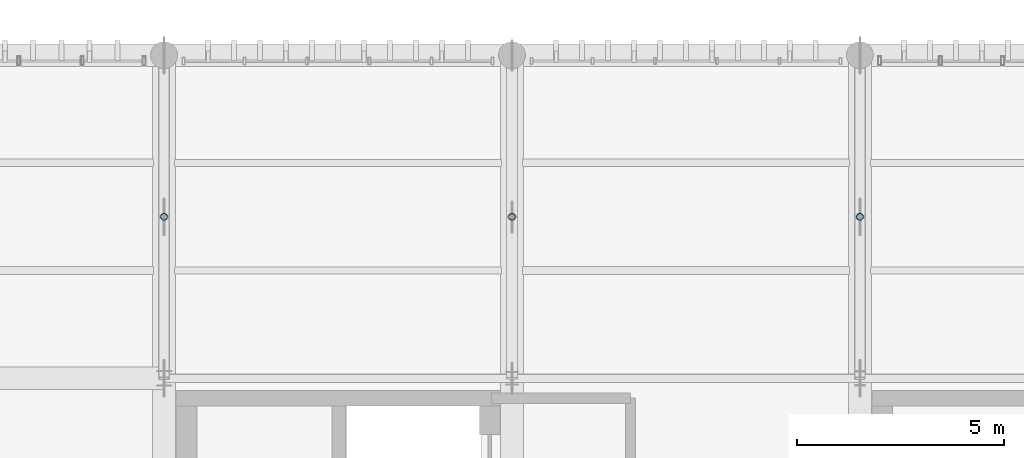
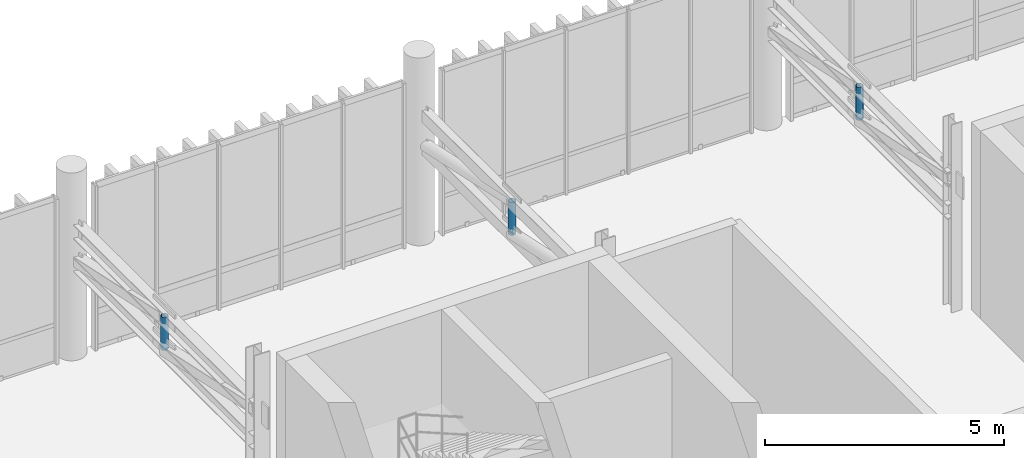
# One storey, part 55 of 81: 3 members.
"""IFC4 building model written with IfcOpenShell, lengths in metres."""

from ifc_helpers import new_model, si_unit, direction, frame, origin_with_axes, origin_2d_with_axis, place, context, subcontext, project, spatial, hollow_circle, extrude, material, material_profile, profile_set, type_object, element, save


model = new_model("IFC4")

# Units and contexts
model_context = context("Model", 3, precision=1e-05, world=origin_with_axes(), true_north=direction((0.0, 1.0)))
body_context = subcontext(model_context, "Body", "Model", "MODEL_VIEW")
ifc_project = project(units=[si_unit("LENGTHUNIT", "METRE"), si_unit("AREAUNIT", "SQUARE_METRE"), si_unit("VOLUMEUNIT", "CUBIC_METRE"), si_unit("PLANEANGLEUNIT", "RADIAN"), si_unit("MASSUNIT", "GRAM", prefix="KILO"), si_unit("THERMODYNAMICTEMPERATUREUNIT", "KELVIN")], contexts=[model_context])

# Site, building, storey
site_placement = place(None, origin_with_axes())
site = spatial("IfcSite", under=ifc_project, at=site_placement, CompositionType="ELEMENT")
building_placement = place(site_placement, origin_with_axes())
building = spatial("IfcBuilding", under=site, at=building_placement, Name="Montbau Bow Law Courts", CompositionType="ELEMENT")
storey_placement = place(building_placement, frame((0.0, 0.0, 24.9), z_axis=(0.0, 0.0, 1.0), x_axis=(1.0, 0.0, 0.0)))
storey = spatial("IfcBuildingStorey", under=building, at=storey_placement, Name="L05", CompositionType="ELEMENT", Elevation=24.9)

# Members
ifc_material = material(Name="Steel CSA G40.21 Grade 350W (350 MPa)", Category="steel")
ifc_material_profile = material_profile(ifc_material, hollow_circle(Radius=0.084, WallThickness=0.0095, at=origin_2d_with_axis()), Name="HSS168X9.5", Category="Main", Priority=0)
ifc_profile_set = profile_set([ifc_material_profile], Name="Steel CSA G40.21 Grade 350W (350 MPa)")
member_type = type_object("IfcMemberType", Name="M-STR-01", PredefinedType="STRUT", material=ifc_profile_set)
for number, where, z_axis, x_axis, name in (
    (1, (13.8, 58.5, 27.36), (0.0, 0.0, 1.0), (1.0, 0.0, 0.0), "STR-L05-02:mbr_0008"),
    (2, (22.2, 58.5, 27.36), (0.0, 0.0, 1.0), (1.0, 0.0, 0.0), "STR-L05-03:mbr_0012"),
    (3, (30.6, 58.5, 27.36), (0.0, 0.0, 1.0), (1.0, 0.0, 0.0), "STR-L05-04:mbr_0016"),
):
    element("IfcMember", number, at=place(None, frame(where, z_axis=z_axis, x_axis=x_axis)), inside=storey, type_object=member_type, Name=name, PredefinedType="STRUT", context=body_context, shape_type="SweptSolid", body=[
        extrude(hollow_circle(Radius=0.084, WallThickness=0.0095, at=origin_2d_with_axis()), origin_with_axes(), (0.0, 0.0, 1.0), 0.84),
    ])

save(model, "model.ifc")
